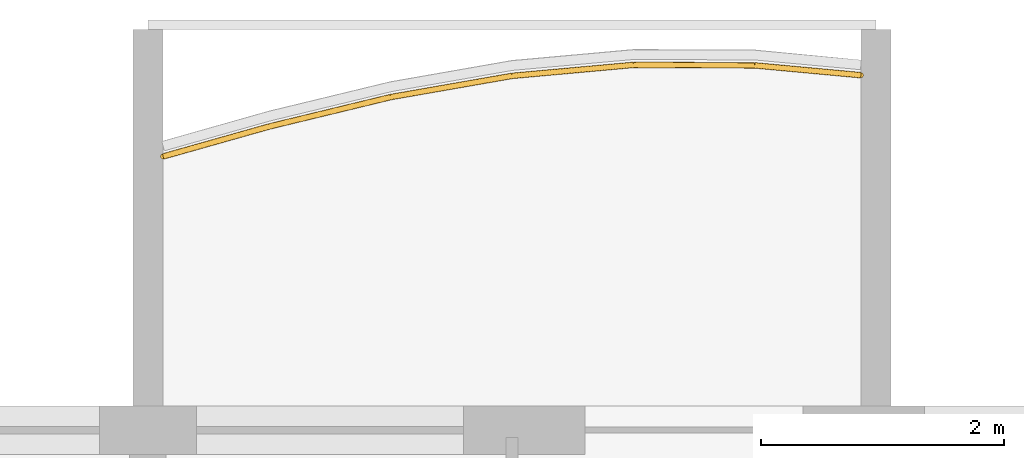
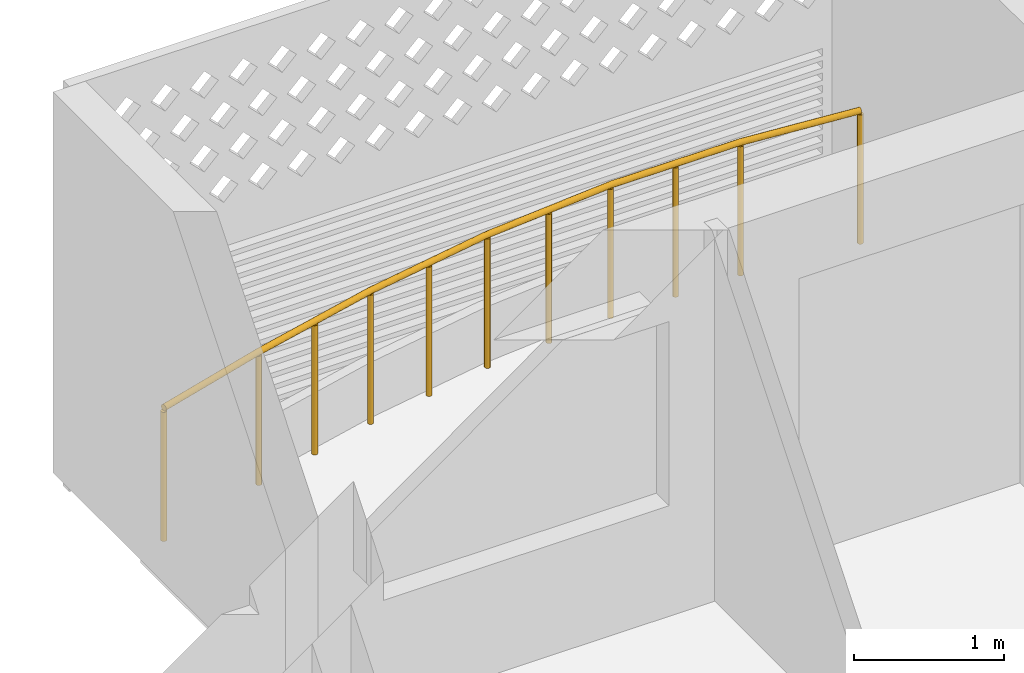
# One storey, part 27 of 32: 1 railing.
"""IFC4 building model written with IfcOpenShell, lengths in metres."""

from ifc_helpers import new_model, si_unit, direction, frame, origin, origin_2d, place, context, subcontext, project, spatial, circle, extrude, material, type_object, element, save


model = new_model("IFC4")

# Units and contexts
model_context = context("Model", 3, precision=1e-05, world=origin(), true_north=direction((0.0, 1.0)))
body_context = subcontext(model_context, "Body", "Model", "MODEL_VIEW")
ifc_project = project(units=[si_unit("LENGTHUNIT", "METRE"), si_unit("AREAUNIT", "SQUARE_METRE"), si_unit("VOLUMEUNIT", "CUBIC_METRE"), si_unit("PLANEANGLEUNIT", "RADIAN"), si_unit("MASSUNIT", "GRAM", prefix="KILO")], contexts=[model_context])

# Site, building, storey
site_placement = place(None, origin())
site = spatial("IfcSite", under=ifc_project, at=site_placement, CompositionType="ELEMENT")
building_placement = place(site_placement, origin())
building = spatial("IfcBuilding", under=site, at=building_placement, Name="Poui Terraces", CompositionType="ELEMENT")
storey_placement = place(building_placement, frame((0.0, 0.0, 155.39990234375)))
storey = spatial("IfcBuildingStorey", under=building, at=storey_placement, Name="L43", CompositionType="ELEMENT", Elevation=155.39990234375)

# Railing
ifc_material = material(Name="Painted steel fretwork", Category="steel")
railing_type = type_object("IfcRailingType", Name="BALCONY GUARD 1100", PredefinedType="GUARDRAIL", material=ifc_material)
railing_placement = place(storey_placement, frame((60.125, 44.655517578125, 0.0)))
element("IfcRailing", 1, at=railing_placement, inside=storey, type_object=railing_type, Name="BALCONY GUARD", PredefinedType="GUARDRAIL", context=body_context, shape_type="SweptSolid", body=[
    extrude(circle(Radius=0.02392578125, at=origin_2d()), frame((0.0, 0.0, 1.076171875), z_axis=(0.962370485881, 0.271740773357, 0.0), x_axis=(-0.271740773357, 0.962370485881, 0.0)), (0.0, 0.0, 1.0), 0.9091796875),
    extrude(circle(Radius=0.02392578125, at=origin_2d()), frame((0.875, 0.2470703125, 1.076171875), z_axis=(0.971902764759, 0.23538270084, 0.0), x_axis=(-0.23538270084, 0.971902764759, 0.0)), (0.0, 0.0, 1.0), 1.02880859375),
    extrude(circle(Radius=0.02392578125, at=origin_2d()), frame((1.875, 0.4892578125, 1.076171875), z_axis=(0.985063118138, 0.172193650534, 0.0), x_axis=(-0.172193650534, 0.985063118138, 0.0)), (0.0, 0.0, 1.0), 1.01513671875),
    extrude(circle(Radius=0.02392578125, at=origin_2d()), frame((2.875, 0.6640625, 1.076171875), z_axis=(0.995944862323, 0.089965722427, 0.0), x_axis=(-0.089965722427, 0.995944862323, 0.0)), (0.0, 0.0, 1.0), 1.004150390625),
    extrude(circle(Radius=0.02392578125, at=origin_2d()), frame((3.875, 0.75439453125, 1.076171875), z_axis=(0.999992370693, -0.003906220198, 0.0), x_axis=(0.003906220198, 0.999992370693, 0.0)), (0.0, 0.0, 1.0), 1.0),
    extrude(circle(Radius=0.02392578125, at=origin_2d()), frame((4.875, 0.75048828125, 1.076171875), z_axis=(0.995762374443, -0.091963545184, 0.0), x_axis=(0.091963545184, 0.995762374443, 0.0)), (0.0, 0.0, 1.0), 0.878662109375),
    extrude(circle(Radius=0.02099609375, at=origin_2d()), origin(), (0.0, 0.0, 1.0), 1.052001953125),
    extrude(circle(Radius=0.02099609375, at=origin_2d()), frame((0.875, 0.2470703125, 0.0)), (0.0, 0.0, 1.0), 1.052001953125),
    extrude(circle(Radius=0.02099609375, at=origin_2d()), frame((1.375, 0.3681640625, 0.0)), (0.0, 0.0, 1.0), 1.052001953125),
    extrude(circle(Radius=0.02099609375, at=origin_2d()), frame((1.875, 0.4892578125, 0.0)), (0.0, 0.0, 1.0), 1.052001953125),
    extrude(circle(Radius=0.02099609375, at=origin_2d()), frame((2.375, 0.57666015625, 0.0)), (0.0, 0.0, 1.0), 1.052001953125),
    extrude(circle(Radius=0.02099609375, at=origin_2d()), frame((2.875, 0.6640625, 0.0)), (0.0, 0.0, 1.0), 1.052001953125),
    extrude(circle(Radius=0.02099609375, at=origin_2d()), frame((3.375, 0.709228515625, 0.0)), (0.0, 0.0, 1.0), 1.052001953125),
    extrude(circle(Radius=0.02099609375, at=origin_2d()), frame((3.875, 0.75439453125, 0.0)), (0.0, 0.0, 1.0), 1.052001953125),
    extrude(circle(Radius=0.02099609375, at=origin_2d()), frame((4.375, 0.75244140625, 0.0)), (0.0, 0.0, 1.0), 1.052001953125),
    extrude(circle(Radius=0.02099609375, at=origin_2d()), frame((4.875, 0.75048828125, 0.0)), (0.0, 0.0, 1.0), 1.052001953125),
    extrude(circle(Radius=0.02099609375, at=origin_2d()), frame((5.75, 0.669677734375, 0.0)), (0.0, 0.0, 1.0), 1.052001953125),
])

save(model, "model.ifc")
